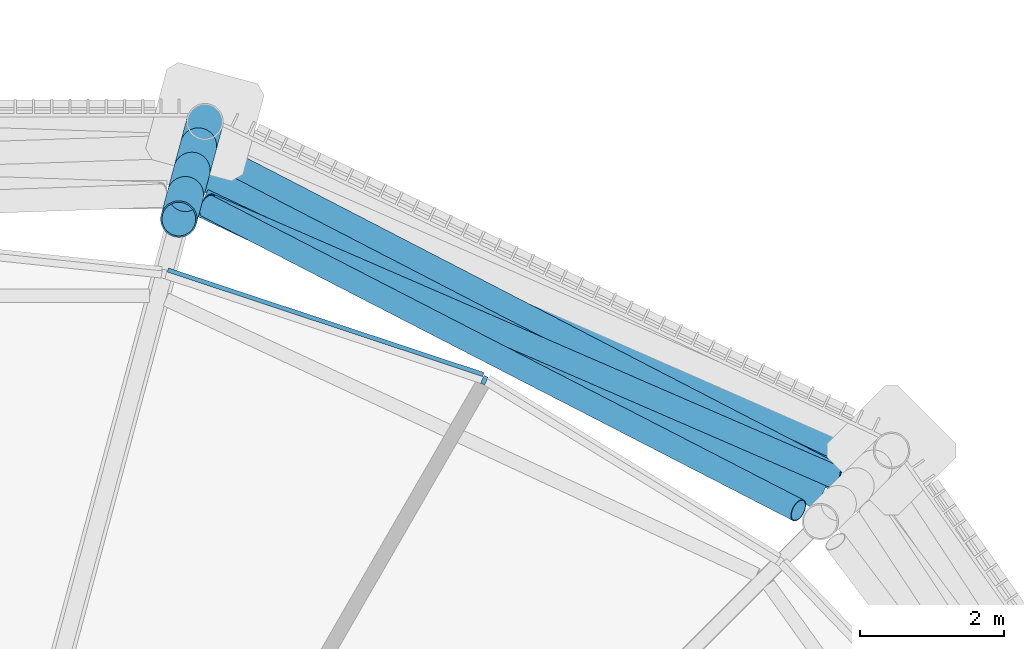
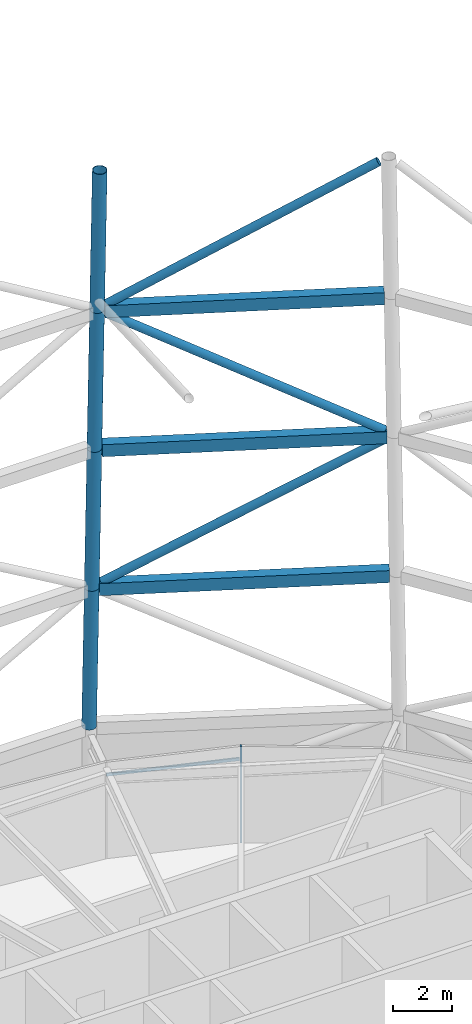
# One storey, part 33 of 71: 9 members, 3 beams, 1 element without a shape of its own.
"""IFC4 building model written with IfcOpenShell, lengths in metres."""

from ifc_helpers import new_model, si_unit, direction, frame, origin, origin_2d, place, context, subcontext, project, spatial, rectangle, hollow_rectangle, hollow_circle, extrude, material, material_profile, profile_set, type_object, element, aggregate, save


model = new_model("IFC4")

# Units and contexts
model_context = context("Model", 3, precision=1e-05, world=origin(), true_north=direction((0.0, 1.0)))
body_context = subcontext(model_context, "Body", "Model", "MODEL_VIEW")
ifc_project = project(units=[si_unit("LENGTHUNIT", "METRE"), si_unit("AREAUNIT", "SQUARE_METRE"), si_unit("VOLUMEUNIT", "CUBIC_METRE"), si_unit("PLANEANGLEUNIT", "RADIAN"), si_unit("MASSUNIT", "GRAM", prefix="KILO")], contexts=[model_context])

# Site, building, storey
site_placement = place(None, origin())
site = spatial("IfcSite", under=ifc_project, at=site_placement, CompositionType="ELEMENT")
building_placement = place(site_placement, origin())
building = spatial("IfcBuilding", under=site, at=building_placement, Name="Rimbun Link Towers", CompositionType="ELEMENT")
storey_placement = place(building_placement, frame((0.0, 0.0, 267.60009765625)))
storey = spatial("IfcBuildingStorey", under=building, at=storey_placement, Name="L65", CompositionType="ELEMENT", Elevation=267.60009765625)

# Curtain wall, members
ifc_material_1 = material(Name="Aluminium 6063-T6 louvre wall", Category="aluminium")
curtain_wall_type = type_object("IfcCurtainWallType", Name="CW6 plant floor louvre wall", PredefinedType="NOTDEFINED", material=ifc_material_1)
curtain_wall_placement = place(storey_placement, origin())
curtain_wall = element("IfcCurtainWall", 1, at=curtain_wall_placement, inside=storey, type_object=curtain_wall_type, Name="CW6 L65 T1", PredefinedType="NOTDEFINED")
ifc_material_2 = material(Name="Aluminium 6063-T6", Category="aluminium")
ifc_material_profile_1 = material_profile(ifc_material_2, rectangle(XDim=0.1201171875, YDim=0.06005859375, at=origin_2d()), Name="MULLION 60X120")
ifc_profile_set_1 = profile_set([ifc_material_profile_1], Name="Aluminium 6063-T6")
member_type_1 = type_object("IfcMemberType", Name="CW6 mullion 60X120", PredefinedType="MULLION", material=ifc_profile_set_1)
member_1_placement = place(storey_placement, frame((-22.705322265625, 15.67626953125, 0.0), z_axis=(0.0, 0.0, 1.0), x_axis=(0.421708717107, 0.906731359288, 0.0)))
member_1 = element("IfcMember", 2, at=member_1_placement, type_object=member_type_1, Name="CW6 mullion", PredefinedType="MULLION", context=body_context, shape_type="SweptSolid", body=[
    extrude(rectangle(XDim=0.1201171875, YDim=0.06005859375, at=origin_2d()), origin(), (0.0, 0.0, 1.0), 4.0),
])
ifc_material_3 = material(Name="Aluminium 6063-T6", Category="aluminium")
ifc_material_profile_2 = material_profile(ifc_material_3, rectangle(XDim=0.06005859375, YDim=0.1201171875, at=origin_2d()), Name="TRANSOM 60X120")
ifc_profile_set_2 = profile_set([ifc_material_profile_2], Name="Aluminium 6063-T6")
member_type_2 = type_object("IfcMemberType", Name="CW6 transom 60X120", PredefinedType="USERDEFINED", material=ifc_profile_set_2)
member_2_placement = place(storey_placement, frame((-27.1005859375, 17.20703125, 3.39990234375), z_axis=(0.949226572325, -0.314593252299, 0.0), x_axis=(0.314593252299, 0.949226572325, 0.0)))
member_2 = element("IfcMember", 3, at=member_2_placement, type_object=member_type_2, Name="CW6 transom", ObjectType="TRANSOM", PredefinedType="USERDEFINED", context=body_context, shape_type="SweptSolid", body=[
    extrude(rectangle(XDim=0.06005859375, YDim=0.1201171875, at=origin_2d()), origin(), (0.0, 0.0, 1.0), 4.61669921875),
])
aggregate(curtain_wall, [member_1, member_2])

# Members
ifc_material_4 = material(Name="Steel S355J2H", Category="steel")
ifc_material_profile_3 = material_profile(ifc_material_4, hollow_circle(Radius=0.161865234375, WallThickness=0.011962890625, at=origin_2d()), Name="Crown frame brace CHS 324x12")
ifc_profile_set_3 = profile_set([ifc_material_profile_3], Name="Steel S355J2H")
member_type_3 = type_object("IfcMemberType", Name="Crown frame brace CHS 324x12", PredefinedType="BRACE", material=ifc_profile_set_3)
member_3_placement = place(storey_placement, frame((-26.371337890625, 18.76953125, 10.201416015625), z_axis=(0.76724991624, -0.396639627186, 0.503988662745), x_axis=(0.459227638799, 0.888318622884, 0.0)))
element("IfcMember", 4, at=member_3_placement, inside=storey, type_object=member_type_3, Name="CROWN FRAME brace T1 3-01", PredefinedType="BRACE", context=body_context, shape_type="SweptSolid", body=[
    extrude(hollow_circle(Radius=0.161865234375, WallThickness=0.011962890625, at=origin_2d()), origin(), (0.0, 0.0, 1.0), 11.105224609375),
])
member_4_placement = place(storey_placement, frame((-17.85986328125, 14.34326171875, 16.203369140625), z_axis=(-0.789702930547, 0.343008338226, 0.50863991329), x_axis=(-0.398393223727, -0.917214718203, 0.0)))
element("IfcMember", 5, at=member_4_placement, inside=storey, type_object=member_type_3, Name="CROWN FRAME brace T1 4-01", PredefinedType="BRACE", context=body_context, shape_type="SweptSolid", body=[
    extrude(hollow_circle(Radius=0.161865234375, WallThickness=0.011962890625, at=origin_2d()), origin(), (0.0, 0.0, 1.0), 10.99609375),
])
member_5_placement = place(storey_placement, frame((-26.55517578125, 18.095458984375, 22.206787109375), z_axis=(0.760786082399, -0.391645265714, 0.517511857519), x_axis=(0.45770273979, 0.889105281723, 0.0)))
element("IfcMember", 6, at=member_5_placement, inside=storey, type_object=member_type_3, Name="CROWN FRAME brace T1 5-01", PredefinedType="BRACE", context=body_context, shape_type="SweptSolid", body=[
    extrude(hollow_circle(Radius=0.161865234375, WallThickness=0.011962890625, at=origin_2d()), origin(), (0.0, 0.0, 1.0), 10.794189453125),
])
ifc_material_5 = material(Name="Steel S355J2H", Category="steel")
ifc_material_profile_4 = material_profile(ifc_material_5, hollow_circle(Radius=0.25390625, WallThickness=0.02001953125, at=origin_2d()), Name="Crown frame post CHS 508x20")
ifc_profile_set_4 = profile_set([ifc_material_profile_4], Name="Steel S355J2H")
member_type_4 = type_object("IfcMemberType", Name="Crown frame post CHS 508x20", PredefinedType="POST", material=ifc_profile_set_4)
for number, where, z_axis, x_axis, name in (
    (7, (-26.587646484375, 19.266357421875, 4.0), (-0.015070401624, -0.056260124661, 0.998302399761), (0.965944938819, -0.258747705633, 0.0), "CROWN FRAME post T1 2-02"),
    (8, (-26.67822265625, 18.92822265625, 10.0), (-0.015070401624, -0.056260124661, 0.998302399761), (0.965944938819, -0.258747705633, 0.0), "CROWN FRAME post T1 3-02"),
    (9, (-26.768798828125, 18.590087890625, 16.0), (-0.015070436053, -0.056219632067, 0.998304680409), (0.96589819818, -0.258922132605, 0.0), "CROWN FRAME post T1 4-02"),
    (10, (-26.859375, 18.252197265625, 22.0), (-0.015070401624, -0.056260124661, 0.998302399761), (0.965944938819, -0.258747705633, 0.0), "CROWN FRAME post T1 5-02"),
):
    element("IfcMember", number, at=place(storey_placement, frame(where, z_axis=z_axis, x_axis=x_axis)), inside=storey, type_object=member_type_4, Name=name, PredefinedType="POST", context=body_context, shape_type="SweptSolid", body=[
        extrude(hollow_circle(Radius=0.25390625, WallThickness=0.02001953125, at=origin_2d()), origin(), (0.0, 0.0, 1.0), 6.01025390625),
    ])

# Beams
ifc_material_6 = material(Name="Steel S355J2", Category="steel")
ifc_material_profile_5 = material_profile(ifc_material_6, hollow_rectangle(XDim=0.39990234375, YDim=0.5, WallThickness=0.02001953125, at=origin_2d()), Name="Crown frame ring beam BOX 400x500x20")
ifc_profile_set_5 = profile_set([ifc_material_profile_5], Name="Steel S355J2")
beam_type = type_object("IfcBeamType", Name="Crown frame ring beam BOX 400x500x20", PredefinedType="BEAM", material=ifc_profile_set_5)
beam_1_placement = place(storey_placement, frame((-17.525634765625, 14.56298828125, 10.0), z_axis=(-0.902599252642, 0.430481810453, 0.0), x_axis=(-0.430481810453, -0.902599252642, 0.0)))
element("IfcBeam", 11, at=beam_1_placement, inside=storey, type_object=beam_type, Name="CROWN FRAME ring beam T1 2-01", PredefinedType="BEAM", context=body_context, shape_type="SweptSolid", body=[
    extrude(hollow_rectangle(XDim=0.39990234375, YDim=0.5, WallThickness=0.02001953125, at=origin_2d()), origin(), (0.0, 0.0, 1.0), 9.88623046875),
])
beam_2_placement = place(storey_placement, frame((-17.773193359375, 14.315185546875, 16.0), z_axis=(-0.903193160089, 0.429234336427, 0.0), x_axis=(-0.429234336427, -0.903193160089, 0.0)))
element("IfcBeam", 12, at=beam_2_placement, inside=storey, type_object=beam_type, Name="CROWN FRAME ring beam T1 3-01", PredefinedType="BEAM", context=body_context, shape_type="SweptSolid", body=[
    extrude(hollow_rectangle(XDim=0.39990234375, YDim=0.5, WallThickness=0.02001953125, at=origin_2d()), origin(), (0.0, 0.0, 1.0), 9.705810546875),
])
beam_3_placement = place(storey_placement, frame((-18.02099609375, 14.0673828125, 22.0), z_axis=(-0.903817675127, 0.42791776094, 0.0), x_axis=(-0.42791776094, -0.903817675127, 0.0)))
element("IfcBeam", 13, at=beam_3_placement, inside=storey, type_object=beam_type, Name="CROWN FRAME ring beam T1 4-01", PredefinedType="BEAM", context=body_context, shape_type="SweptSolid", body=[
    extrude(hollow_rectangle(XDim=0.39990234375, YDim=0.5, WallThickness=0.02001953125, at=origin_2d()), origin(), (0.0, 0.0, 1.0), 9.525146484375),
])

save(model, "model.ifc")
